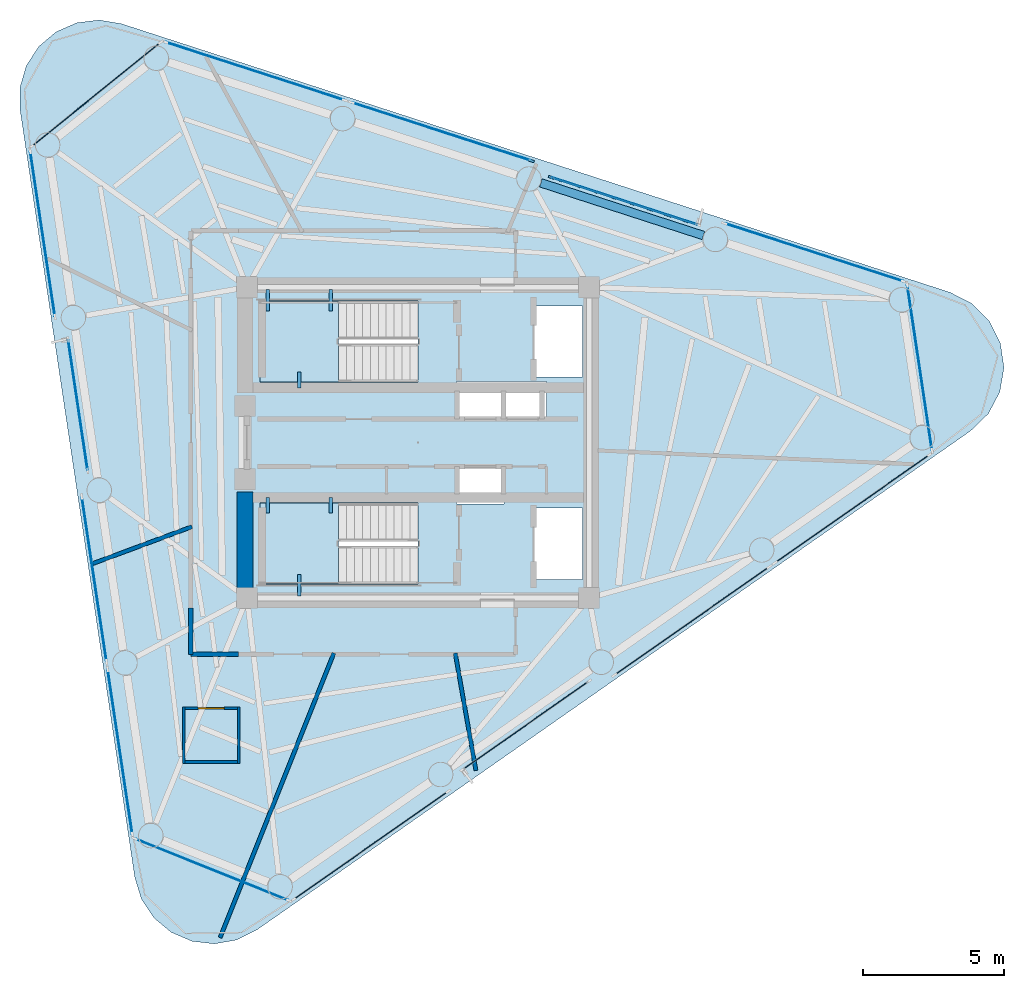
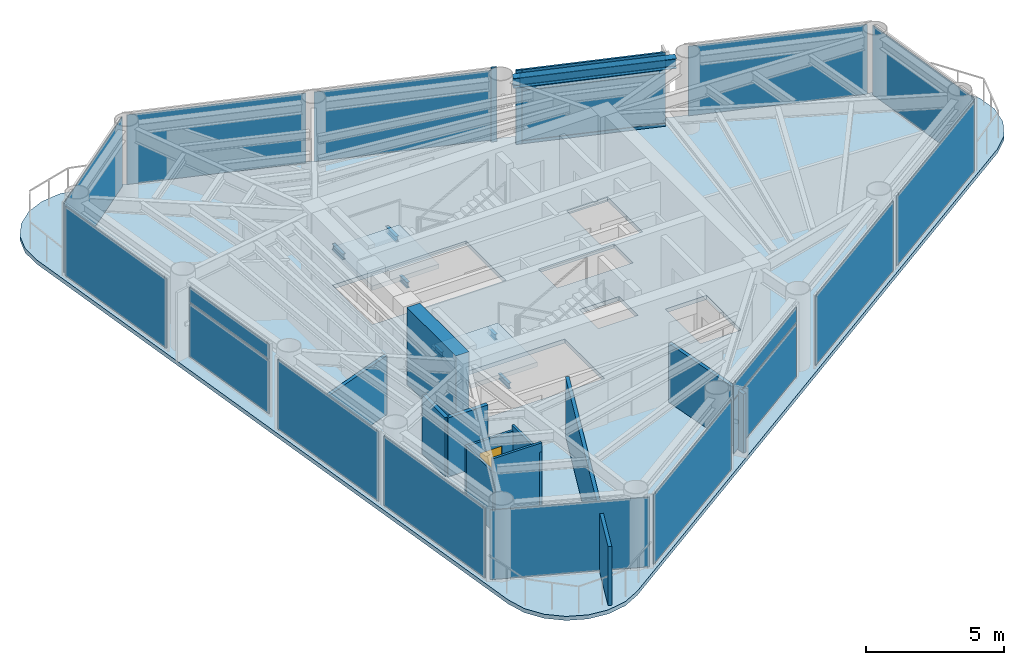
# One storey, part 4 of 9: 18 plates, 10 walls, 7 beams, 5 members, 3 slabs, 1 door, 1 opening, 17 elements without a shape of their own.
"""IFC4 building model written with IfcOpenShell, lengths in metres."""

from ifc_helpers import new_model, si_unit, direction, frame, frame_2d, origin, origin_2d, place, context, subcontext, project, spatial, polyline, rectangle, i_section, outline, extrude, source, transform, mapped, material, layer, layer_set, material_profile, profile_set, type_object, element, fill, aggregate, save


model = new_model("IFC4")

# Units and contexts
model_context = context("Model", 3, precision=1e-05, world=origin(), true_north=direction((0.0, 1.0)))
body_context = subcontext(model_context, "Body", "Model", "MODEL_VIEW")
ifc_project = project(units=[si_unit("LENGTHUNIT", "METRE"), si_unit("AREAUNIT", "SQUARE_METRE"), si_unit("VOLUMEUNIT", "CUBIC_METRE"), si_unit("PLANEANGLEUNIT", "RADIAN"), si_unit("MASSUNIT", "GRAM", prefix="KILO")], contexts=[model_context])

# Site, building, storey
site_placement = place(None, origin())
site = spatial("IfcSite", under=ifc_project, at=site_placement, CompositionType="ELEMENT")
building_placement = place(site_placement, origin())
building = spatial("IfcBuilding", under=site, at=building_placement, Name="Yunling Apex Tower", CompositionType="ELEMENT")
storey_placement = place(building_placement, frame((0.0, 0.0, 271.14990234375)))
storey = spatial("IfcBuildingStorey", under=building, at=storey_placement, Name="L66", CompositionType="ELEMENT", Elevation=271.14990234375)

# Beams
ifc_material_1 = material(Name="Steel Q355B", Category="steel")
ifc_material_profile_1 = material_profile(ifc_material_1, i_section(OverallWidth=0.125, OverallDepth=0.25, WebThickness=0.006103515625, FlangeThickness=0.009033203125, FilletRadius=0.011962890625, at=origin_2d()))
ifc_profile_set_1 = profile_set([ifc_material_profile_1], Name="Steel Q355B")
beam_type_1 = type_object("IfcBeamType", Name="BL-LNT-1", PredefinedType="LINTEL", material=ifc_profile_set_1)
shared_shape_1 = source(origin(), body_context, "Body", "SweptSolid", [
    extrude(i_section(OverallWidth=0.125, OverallDepth=0.25, WebThickness=0.006103515625, FlangeThickness=0.009033203125, FilletRadius=0.011962890625, at=origin_2d()), origin(), (0.0, 0.0, 1.0), 0.760009765625),
])
for number, where, z_axis, x_axis, name in (
    (1, (-5.320068359375, 5.419921875, 1.380126953125), (0.0, -1.0, 0.0), (1.0, 0.0, 0.0), "L66 ST-1 Landing Bearing Corbel 1-1"),
    (2, (-3.090087890625, 5.419921875, 1.380126953125), (0.0, -1.0, 0.0), (1.0, 0.0, 0.0), "L66 ST-1 Landing Bearing Corbel 1-2"),
    (3, (-4.205078125, -5.419921875, 1.380126953125), (0.0, 1.0, 0.0), (-1.0, 0.0, 0.0), "L66 ST-2 Landing Bearing Corbel 1-3"),
):
    element("IfcBeam", number, at=place(storey_placement, frame(where, z_axis=z_axis, x_axis=x_axis)), inside=storey, type_object=beam_type_1, Name=name, PredefinedType="LINTEL", context=body_context, shape_type="MappedRepresentation", body=[
        mapped(shared_shape_1, transform((0.0, 0.0, 0.0), scale=1.0)),
    ])
shared_shape_2 = source(origin(), body_context, "Body", "SweptSolid", [
    extrude(i_section(OverallWidth=0.125, OverallDepth=0.25, WebThickness=0.006103515625, FlangeThickness=0.009033203125, FilletRadius=0.011962890625, at=origin_2d()), origin(), (0.0, 0.0, 1.0), 0.550048828125),
])
for number, where, z_axis, x_axis, name in (
    (4, (-4.205078125, 1.93994140625, 1.380126953125), (0.0, 1.0, 0.0), (-1.0, 0.0, 0.0), "L66 ST-1 Landing Bearing Corbel 1-3"),
    (5, (-5.320068359375, -1.93994140625, 1.380126953125), (0.0, -1.0, 0.0), (1.0, 0.0, 0.0), "L66 ST-2 Landing Bearing Corbel 1-1"),
    (6, (-3.090087890625, -1.93994140625, 1.380126953125), (0.0, -1.0, 0.0), (1.0, 0.0, 0.0), "L66 ST-2 Landing Bearing Corbel 1-2"),
):
    element("IfcBeam", number, at=place(storey_placement, frame(where, z_axis=z_axis, x_axis=x_axis)), inside=storey, type_object=beam_type_1, Name=name, PredefinedType="LINTEL", context=body_context, shape_type="MappedRepresentation", body=[
        mapped(shared_shape_2, transform((0.0, 0.0, 0.0), scale=1.0)),
    ])
ifc_material_profile_2 = material_profile(ifc_material_1, i_section(OverallWidth=0.300048828125, OverallDepth=0.43994140625, WebThickness=0.010986328125, FlangeThickness=0.01806640625, FilletRadius=0.02197265625, at=origin_2d()))
ifc_profile_set_2 = profile_set([ifc_material_profile_2], Name="Steel Q355B")
beam_type_2 = type_object("IfcBeamType", Name="BP-SPN-3", PredefinedType="SPANDREL", material=ifc_profile_set_2)
shared_shape_3 = source(origin(), body_context, "Body", "SweptSolid", [
    extrude(i_section(OverallWidth=0.300048828125, OverallDepth=0.43994140625, WebThickness=0.010986328125, FlangeThickness=0.01806640625, FilletRadius=0.02197265625, at=origin_2d()), origin(), (0.0, 0.0, 1.0), 6.04345703125),
])
beam_placement = place(storey_placement, frame((10.09375, 7.326904296875, 3.0), z_axis=(-0.951272468705, 0.308351569289, 0.0), x_axis=(-0.308351569289, -0.951272468705, 0.0)))
element("IfcBeam", 7, at=beam_placement, inside=storey, type_object=beam_type_2, Name="L66 Perimeter Spandrel Beam 7", PredefinedType="SPANDREL", context=body_context, shape_type="MappedRepresentation", body=[
    mapped(shared_shape_3, transform((0.0, 0.0, 0.0), scale=1.0)),
])

# Curtain wall, member
ifc_material_2 = material(Name="Bronze anodised aluminium", Category="aluminium")
ifc_layer_1 = layer(ifc_material_2, 0.219970703125)
ifc_layer_set_1 = layer_set([ifc_layer_1], Name="Bronze anodised aluminium")
curtain_wall_type = type_object("IfcCurtainWallType", Name="CW-SYS-4", PredefinedType="NOTDEFINED", material=ifc_layer_set_1)
curtain_wall_1_placement = place(storey_placement, origin())
curtain_wall_1 = element("IfcCurtainWall", 8, at=curtain_wall_1_placement, inside=storey, type_object=curtain_wall_type, Name="CW-L66-F2-B2", PredefinedType="NOTDEFINED")
ifc_material_profile_3 = material_profile(ifc_material_2, rectangle(XDim=0.080078125, YDim=0.219970703125, at=origin_2d()))
ifc_profile_set_3 = profile_set([ifc_material_profile_3], Name="Bronze anodised aluminium")
member_type_1 = type_object("IfcMemberType", Name="CW-MUL-4", PredefinedType="MULLION", material=ifc_profile_set_3)
shared_shape_4 = source(origin(), body_context, "Body", "SweptSolid", [
    extrude(rectangle(XDim=0.080078125, YDim=0.219970703125, at=origin_2d()), origin(), (0.0, 0.0, 1.0), 3.31982421875),
])
member_1_placement = place(storey_placement, frame((4.71875, 9.384521484375, -0.0498046875), z_axis=(0.0, 0.0, 1.0), x_axis=(-0.30836941685, -0.951266683297, 0.0)))
member_1 = element("IfcMember", 9, at=member_1_placement, type_object=member_type_1, Name="CW-SYS-4 mullion 2", PredefinedType="MULLION", context=body_context, shape_type="MappedRepresentation", body=[
    mapped(shared_shape_4, transform((0.0, 0.0, 0.0), scale=1.0)),
])

curtain_wall_2_placement = place(storey_placement, origin())
curtain_wall_2 = element("IfcCurtainWall", 10, at=curtain_wall_2_placement, inside=storey, type_object=curtain_wall_type, Name="CW-L66-F2-B3", PredefinedType="NOTDEFINED")
member_2_placement = place(storey_placement, frame((4.00537109375, 9.97314453125, -0.0498046875), z_axis=(0.0, 0.0, 1.0), x_axis=(-0.308371076658, -0.95126614524, 0.0)))
member_2 = element("IfcMember", 11, at=member_2_placement, type_object=member_type_1, Name="CW-SYS-4 mullion 1", PredefinedType="MULLION", context=body_context, shape_type="MappedRepresentation", body=[
    mapped(shared_shape_4, transform((0.0, 0.0, 0.0), scale=1.0)),
])

# Member
ifc_material_profile_4 = material_profile(ifc_material_2, rectangle(XDim=0.080078125, YDim=0.169921875, at=origin_2d()))
ifc_profile_set_4 = profile_set([ifc_material_profile_4], Name="Bronze anodised aluminium")
member_type_2 = type_object("IfcMemberType", Name="CW-TRN-4", PredefinedType="USERDEFINED", material=ifc_profile_set_4)
shared_shape_5 = source(origin(), body_context, "Body", "SweptSolid", [
    extrude(rectangle(XDim=0.080078125, YDim=0.169921875, at=origin_2d()), origin(), (0.0, 0.0, 1.0), 5.3798828125),
])
member_3_placement = place(storey_placement, frame((9.87060546875, 7.71435546875, 0.0400390625), z_axis=(-0.951269238612, 0.308361534032, 0.0), x_axis=(-0.308361534032, -0.951269238612, 0.0)))
member_3 = element("IfcMember", 12, at=member_3_placement, type_object=member_type_2, Name="CW-SYS-4 transom 1.1", ObjectType="TRANSOM", PredefinedType="USERDEFINED", context=body_context, shape_type="MappedRepresentation", body=[
    mapped(shared_shape_5, transform((0.0, 0.0, 0.0), scale=1.0)),
])

member_4_placement = place(storey_placement, frame((9.87060546875, 7.71435546875, 2.447265625), z_axis=(-0.951269238612, 0.308361534032, 0.0), x_axis=(-0.308361534032, -0.951269238612, 0.0)))
member_4 = element("IfcMember", 13, at=member_4_placement, type_object=member_type_2, Name="CW-SYS-4 transom 1.2", ObjectType="TRANSOM", PredefinedType="USERDEFINED", context=body_context, shape_type="MappedRepresentation", body=[
    mapped(shared_shape_5, transform((0.0, 0.0, 0.0), scale=1.0)),
])

member_5_placement = place(storey_placement, frame((9.87060546875, 7.71435546875, 3.18017578125), z_axis=(-0.951269238612, 0.308361534032, 0.0), x_axis=(-0.308361534032, -0.951269238612, 0.0)))
member_5 = element("IfcMember", 14, at=member_5_placement, type_object=member_type_2, Name="CW-SYS-4 transom 1.3", ObjectType="TRANSOM", PredefinedType="USERDEFINED", context=body_context, shape_type="MappedRepresentation", body=[
    mapped(shared_shape_5, transform((0.0, 0.0, 0.0), scale=1.0)),
])

# Slab
ifc_material_3 = material(Name="Concrete C40", Category="concrete")
ifc_layer_2 = layer(ifc_material_3, 0.155029296875)
ifc_layer_set_2 = layer_set([ifc_layer_2], Name="Concrete C40")
slab_type_1 = type_object("IfcSlabType", Name="SL-FLR-3", PredefinedType="FLOOR", material=ifc_layer_set_2)
slab_1_placement = place(storey_placement, frame((0.0, 0.0, -0.179931640625)))
element("IfcSlab", 15, at=slab_1_placement, inside=storey, type_object=slab_type_1, Name="L66 Composite Tower Floor Slab", PredefinedType="FLOOR", context=body_context, shape_type="SweptSolid", body=[
    extrude(outline(polyline([(-10.026123046875, -15.378173828125), (-9.794189453125, -16.145263671875), (-9.352294921875, -16.81396484375), (-8.737548828125, -17.328125), (-8.001220703125, -17.64501953125), (-7.205078125, -17.7373046875), (-6.415771484375, -17.59814453125), (-5.69921875, -17.23876953125), (19.549072265625, 0.414306640625), (20.177490234375, 1.021728515625), (20.585205078125, 1.794921875), (20.731689453125, 2.656494140625), (20.6025390625, 3.52099609375), (20.21044921875, 4.302001953125), (19.594482421875, 4.922119140625), (18.81591796875, 5.3193359375), (-10.490478515625, 14.819091796875), (-11.280517578125, 14.95361328125), (-12.076171875, 14.855712890625), (-12.810302734375, 14.534423828125), (-13.422119140625, 14.016357421875), (-13.859619140625, 13.344970703125), (-14.086669921875, 12.576416015625), (-14.083984375, 11.77490234375), (-10.026123046875, -15.378173828125)]), holes=[polyline([(4.090087890625, 4.840087890625), (5.81005859375, 4.840087890625), (5.81005859375, 2.320068359375), (4.090087890625, 2.320068359375), (4.090087890625, 4.840087890625)]), polyline([(4.090087890625, -4.840087890625), (4.090087890625, -2.320068359375), (5.81005859375, -2.320068359375), (5.81005859375, -4.840087890625), (4.090087890625, -4.840087890625)]), polyline([(4.534912109375, 0.794921875), (1.364990234375, 0.794921875), (1.364990234375, 2.1650390625), (4.534912109375, 2.1650390625), (4.534912109375, 0.794921875)]), polyline([(1.364990234375, -0.794921875), (3.034912109375, -0.794921875), (3.034912109375, -2.1650390625), (1.364990234375, -2.1650390625), (1.364990234375, -0.794921875)]), polyline([(-0.010009765625, -5.010009765625), (-5.60009765625, -5.010009765625), (-5.60009765625, -2.139892578125), (-0.010009765625, -2.139892578125), (-0.010009765625, -5.010009765625)]), polyline([(-0.010009765625, 2.139892578125), (-5.60009765625, 2.139892578125), (-5.60009765625, 5.010009765625), (-0.010009765625, 5.010009765625), (-0.010009765625, 2.139892578125)])]), origin(), (0.0, 0.0, 1.0), 0.179931640625),
])

# Stair, slab
stair_type = type_object("IfcStairType", Name="ST-TWR-3", PredefinedType="HALF_TURN_STAIR", material=ifc_material_3)
stair_1_placement = place(storey_placement, origin())
stair_1 = element("IfcStair", 16, at=stair_1_placement, inside=storey, type_object=stair_type, Name="L66 North Core Smokeproof Exit Stair ST-1", PredefinedType="HALF_TURN_STAIR")
ifc_layer_3 = layer(ifc_material_3, 0.195068359375)
ifc_layer_set_3 = layer_set([ifc_layer_3], Name="Concrete C40")
slab_type_2 = type_object("IfcSlabType", Name="SL-LND-1", PredefinedType="LANDING", material=ifc_layer_set_3)
slab_2_placement = place(storey_placement, frame((0.0, 0.0, 1.505126953125)))
slab_2 = element("IfcSlab", 17, at=slab_2_placement, type_object=slab_type_2, Name="ST-1 landing 1", PredefinedType="LANDING", context=body_context, shape_type="SweptSolid", body=[
    extrude(outline(polyline([(-2.81005859375, 5.010009765625), (-5.60009765625, 5.010009765625), (-5.60009765625, 2.139892578125), (-2.81005859375, 2.139892578125), (-2.81005859375, 5.010009765625)])), origin(), (0.0, 0.0, 1.0), 0.195068359375),
])
aggregate(stair_1, [slab_2])

stair_2_placement = place(storey_placement, origin())
stair_2 = element("IfcStair", 18, at=stair_2_placement, inside=storey, type_object=stair_type, Name="L66 South Core Smokeproof Exit Stair ST-2", PredefinedType="HALF_TURN_STAIR")
slab_3_placement = place(storey_placement, frame((0.0, 0.0, 1.505126953125)))
slab_3 = element("IfcSlab", 19, at=slab_3_placement, type_object=slab_type_2, Name="ST-2 landing 1", PredefinedType="LANDING", context=body_context, shape_type="SweptSolid", body=[
    extrude(outline(polyline([(-2.81005859375, -2.139892578125), (-5.60009765625, -2.139892578125), (-5.60009765625, -5.010009765625), (-2.81005859375, -5.010009765625), (-2.81005859375, -2.139892578125)])), origin(), (0.0, 0.0, 1.0), 0.195068359375),
])
aggregate(stair_2, [slab_3])

# Curtain wall, plate
curtain_wall_3_placement = place(storey_placement, origin())
curtain_wall_3 = element("IfcCurtainWall", 20, at=curtain_wall_3_placement, inside=storey, type_object=curtain_wall_type, Name="CW-L66-F1-B1", PredefinedType="NOTDEFINED")
ifc_material_4 = material(Name="Bronze tinted low-E glass", Category="glass")
ifc_layer_4 = layer(ifc_material_4, 0.030029296875)
ifc_layer_set_4 = layer_set([ifc_layer_4], Name="Bronze tinted low-E glass")
plate_type = type_object("IfcPlateType", Name="CW-PNL-4", PredefinedType="CURTAIN_PANEL", material=ifc_layer_set_4)
shared_shape_6 = source(origin(), body_context, "Body", "SweptSolid", [
    extrude(rectangle(XDim=6.627685546875, YDim=0.030029296875, at=origin_2d()), origin(), (0.0, 0.0, 1.0), 3.075927734375),
])
plate_1_placement = place(storey_placement, frame((-1.6767578125, -14.25537109375, 0.072265625), z_axis=(0.0, 0.0, 1.0), x_axis=(0.819555084976, 0.573000403744, 0.0)))
plate_1 = element("IfcPlate", 21, at=plate_1_placement, type_object=plate_type, Name="CW-SYS-4 panel 1.1", PredefinedType="CURTAIN_PANEL", context=body_context, shape_type="MappedRepresentation", body=[
    mapped(shared_shape_6, transform((0.0, 0.0, 0.0), scale=1.0)),
])
aggregate(curtain_wall_3, [plate_1])

curtain_wall_4_placement = place(storey_placement, origin())
curtain_wall_4 = element("IfcCurtainWall", 22, at=curtain_wall_4_placement, inside=storey, type_object=curtain_wall_type, Name="CW-L66-F1-B3", PredefinedType="NOTDEFINED")
plate_2_placement = place(storey_placement, frame((9.68505859375, -6.3115234375, 0.072265625), z_axis=(0.0, 0.0, 1.0), x_axis=(0.81954815017, 0.573010322379, 0.0)))
plate_2 = element("IfcPlate", 23, at=plate_2_placement, type_object=plate_type, Name="CW-SYS-4 panel 1.1", PredefinedType="CURTAIN_PANEL", context=body_context, shape_type="MappedRepresentation", body=[
    mapped(shared_shape_6, transform((0.0, 0.0, 0.0), scale=1.0)),
])
aggregate(curtain_wall_4, [plate_2])

curtain_wall_5_placement = place(storey_placement, origin())
curtain_wall_5 = element("IfcCurtainWall", 24, at=curtain_wall_5_placement, inside=storey, type_object=curtain_wall_type, Name="CW-L66-F1-B4", PredefinedType="NOTDEFINED")
plate_3_placement = place(storey_placement, frame((15.365966796875, -2.339599609375, 0.072265625), z_axis=(0.0, 0.0, 1.0), x_axis=(0.819555084976, 0.573000403744, 0.0)))
plate_3 = element("IfcPlate", 25, at=plate_3_placement, type_object=plate_type, Name="CW-SYS-4 panel 1.1", PredefinedType="CURTAIN_PANEL", context=body_context, shape_type="MappedRepresentation", body=[
    mapped(shared_shape_6, transform((0.0, 0.0, 0.0), scale=1.0)),
])
aggregate(curtain_wall_5, [plate_3])

curtain_wall_6_placement = place(storey_placement, origin())
curtain_wall_6 = element("IfcCurtainWall", 26, at=curtain_wall_6_placement, inside=storey, type_object=curtain_wall_type, Name="CW-L66-F2-B1", PredefinedType="NOTDEFINED")
plate_4_placement = place(storey_placement, frame((14.010498046875, 6.72998046875, 0.072265625), z_axis=(0.0, 0.0, 1.0), x_axis=(-0.951271881173, 0.308353381834, 0.0)))
plate_4 = element("IfcPlate", 27, at=plate_4_placement, type_object=plate_type, Name="CW-SYS-4 panel 1.1", PredefinedType="CURTAIN_PANEL", context=body_context, shape_type="MappedRepresentation", body=[
    mapped(shared_shape_6, transform((0.0, 0.0, 0.0), scale=1.0)),
])
aggregate(curtain_wall_6, [plate_4])

# Plate
plate_5_placement = place(storey_placement, frame((0.82275390625, 11.0048828125, 0.072265625), z_axis=(0.0, 0.0, 1.0), x_axis=(-0.95126614524, 0.308371076658, 0.0)))
plate_5 = element("IfcPlate", 28, at=plate_5_placement, type_object=plate_type, Name="CW-SYS-4 panel 1.1", PredefinedType="CURTAIN_PANEL", context=body_context, shape_type="MappedRepresentation", body=[
    mapped(shared_shape_6, transform((0.0, 0.0, 0.0), scale=1.0)),
])

aggregate(curtain_wall_2, [member_2, plate_5])

# Curtain wall, plate
curtain_wall_7_placement = place(storey_placement, origin())
curtain_wall_7 = element("IfcCurtainWall", 29, at=curtain_wall_7_placement, inside=storey, type_object=curtain_wall_type, Name="CW-L66-F2-B4", PredefinedType="NOTDEFINED")
plate_6_placement = place(storey_placement, frame((-5.771240234375, 13.142333984375, 0.072265625), z_axis=(0.0, 0.0, 1.0), x_axis=(-0.951271881173, 0.308353381834, 0.0)))
plate_6 = element("IfcPlate", 30, at=plate_6_placement, type_object=plate_type, Name="CW-SYS-4 panel 1.1", PredefinedType="CURTAIN_PANEL", context=body_context, shape_type="MappedRepresentation", body=[
    mapped(shared_shape_6, transform((0.0, 0.0, 0.0), scale=1.0)),
])
aggregate(curtain_wall_7, [plate_6])

curtain_wall_8_placement = place(storey_placement, origin())
curtain_wall_8 = element("IfcCurtainWall", 31, at=curtain_wall_8_placement, inside=storey, type_object=curtain_wall_type, Name="CW-L66-F1-B2", PredefinedType="NOTDEFINED")
shared_shape_7 = source(origin(), body_context, "Body", "SweptSolid", [
    extrude(rectangle(XDim=5.3876953125, YDim=0.030029296875, at=origin_2d()), origin(), (0.0, 0.0, 1.0), 2.34326171875),
])
plate_7_placement = place(storey_placement, frame((3.809326171875, -10.0048828125, 0.072021484375), z_axis=(0.0, 0.0, 1.0), x_axis=(0.819556211708, 0.57299879219, 0.0)))
plate_7 = element("IfcPlate", 32, at=plate_7_placement, type_object=plate_type, Name="CW-SYS-4 panel 1.1", PredefinedType="CURTAIN_PANEL", context=body_context, shape_type="MappedRepresentation", body=[
    mapped(shared_shape_7, transform((0.0, 0.0, 0.0), scale=1.0)),
])

# Plate
plate_8_placement = place(storey_placement, frame((7.311767578125, 8.5439453125, 0.072021484375), z_axis=(0.0, 0.0, 1.0), x_axis=(-0.951266683297, 0.30836941685, 0.0)))
plate_8 = element("IfcPlate", 33, at=plate_8_placement, type_object=plate_type, Name="CW-SYS-4 panel 1.1", PredefinedType="CURTAIN_PANEL", context=body_context, shape_type="MappedRepresentation", body=[
    mapped(shared_shape_7, transform((0.0, 0.0, 0.0), scale=1.0)),
])

shared_shape_8 = source(origin(), body_context, "Body", "SweptSolid", [
    extrude(rectangle(XDim=5.3876953125, YDim=0.030029296875, at=origin_2d()), origin(), (0.0, 0.0, 1.0), 0.668701171875),
])
plate_9_placement = place(storey_placement, frame((3.809326171875, -10.0048828125, 2.4794921875), z_axis=(0.0, 0.0, 1.0), x_axis=(0.819556211708, 0.57299879219, 0.0)))
plate_9 = element("IfcPlate", 34, at=plate_9_placement, type_object=plate_type, Name="CW-SYS-4 panel 1.2", PredefinedType="CURTAIN_PANEL", context=body_context, shape_type="MappedRepresentation", body=[
    mapped(shared_shape_8, transform((0.0, 0.0, 0.0), scale=1.0)),
])

aggregate(curtain_wall_8, [plate_7, plate_9])

plate_10_placement = place(storey_placement, frame((7.311767578125, 8.5439453125, 2.4794921875), z_axis=(0.0, 0.0, 1.0), x_axis=(-0.951266683297, 0.30836941685, 0.0)))
plate_10 = element("IfcPlate", 35, at=plate_10_placement, type_object=plate_type, Name="CW-SYS-4 panel 1.2", PredefinedType="CURTAIN_PANEL", context=body_context, shape_type="MappedRepresentation", body=[
    mapped(shared_shape_8, transform((0.0, 0.0, 0.0), scale=1.0)),
])

aggregate(curtain_wall_1, [member_1, member_3, member_4, member_5, plate_8, plate_10])

# Curtain wall, plate
curtain_wall_9_placement = place(storey_placement, origin())
curtain_wall_9 = element("IfcCurtainWall", 36, at=curtain_wall_9_placement, inside=storey, type_object=curtain_wall_type, Name="CW-L66-CRN1", PredefinedType="NOTDEFINED")
shared_shape_9 = source(origin(), body_context, "Body", "SweptSolid", [
    extrude(rectangle(XDim=5.90185546875, YDim=0.030029296875, at=origin_2d()), origin(), (0.0, 0.0, 1.0), 3.075927734375),
])
plate_11_placement = place(storey_placement, frame((17.748291015625, 2.65234375, 0.072265625), z_axis=(0.0, 0.0, 1.0), x_axis=(-0.147802573571, 0.989016885218, 0.0)))
plate_11 = element("IfcPlate", 37, at=plate_11_placement, type_object=plate_type, Name="CW-SYS-4 panel 1.1", PredefinedType="CURTAIN_PANEL", context=body_context, shape_type="MappedRepresentation", body=[
    mapped(shared_shape_9, transform((0.0, 0.0, 0.0), scale=1.0)),
])
aggregate(curtain_wall_9, [plate_11])

curtain_wall_10_placement = place(storey_placement, origin())
curtain_wall_10 = element("IfcCurtainWall", 38, at=curtain_wall_10_placement, inside=storey, type_object=curtain_wall_type, Name="CW-L66-CRN2", PredefinedType="NOTDEFINED")
shared_shape_10 = source(origin(), body_context, "Body", "SweptSolid", [
    extrude(rectangle(XDim=5.829345703125, YDim=0.030029296875, at=origin_2d()), origin(), (0.0, 0.0, 1.0), 3.075927734375),
])
plate_12_placement = place(storey_placement, frame((-11.398681640625, 12.31640625, 0.072265625), z_axis=(0.0, 0.0, 1.0), x_axis=(-0.778222477019, -0.627988675266, 0.0)))
plate_12 = element("IfcPlate", 39, at=plate_12_placement, type_object=plate_type, Name="CW-SYS-4 panel 1.1", PredefinedType="CURTAIN_PANEL", context=body_context, shape_type="MappedRepresentation", body=[
    mapped(shared_shape_10, transform((0.0, 0.0, 0.0), scale=1.0)),
])
aggregate(curtain_wall_10, [plate_12])

curtain_wall_11_placement = place(storey_placement, origin())
curtain_wall_11 = element("IfcCurtainWall", 40, at=curtain_wall_11_placement, inside=storey, type_object=curtain_wall_type, Name="CW-L66-CRN3", PredefinedType="NOTDEFINED")
plate_13_placement = place(storey_placement, frame((-7.2998046875, -15.11083984375, 0.072265625), z_axis=(0.0, 0.0, 1.0), x_axis=(0.927827569859, -0.373009384078, 0.0)))
plate_13 = element("IfcPlate", 41, at=plate_13_placement, type_object=plate_type, Name="CW-SYS-4 panel 1.1", PredefinedType="CURTAIN_PANEL", context=body_context, shape_type="MappedRepresentation", body=[
    mapped(shared_shape_10, transform((0.0, 0.0, 0.0), scale=1.0)),
])
aggregate(curtain_wall_11, [plate_13])

curtain_wall_12_placement = place(storey_placement, origin())
curtain_wall_12 = element("IfcCurtainWall", 42, at=curtain_wall_12_placement, inside=storey, type_object=curtain_wall_type, Name="CW-L66-F3-B1", PredefinedType="NOTDEFINED")
shared_shape_11 = source(origin(), body_context, "Body", "SweptSolid", [
    extrude(rectangle(XDim=5.873291015625, YDim=0.030029296875, at=origin_2d()), origin(), (0.0, 0.0, 1.0), 3.075927734375),
])
plate_14_placement = place(storey_placement, frame((-13.2861328125, 7.38330078125, 0.072265625), z_axis=(0.0, 0.0, 1.0), x_axis=(0.147807330522, -0.989016174309, 0.0)))
plate_14 = element("IfcPlate", 43, at=plate_14_placement, type_object=plate_type, Name="CW-SYS-4 panel 1.1", PredefinedType="CURTAIN_PANEL", context=body_context, shape_type="MappedRepresentation", body=[
    mapped(shared_shape_11, transform((0.0, 0.0, 0.0), scale=1.0)),
])
aggregate(curtain_wall_12, [plate_14])

curtain_wall_13_placement = place(storey_placement, origin())
curtain_wall_13 = element("IfcCurtainWall", 44, at=curtain_wall_13_placement, inside=storey, type_object=curtain_wall_type, Name="CW-L66-F3-B3", PredefinedType="NOTDEFINED")
plate_15_placement = place(storey_placement, frame((-11.460205078125, -4.835693359375, 0.072265625), z_axis=(0.0, 0.0, 1.0), x_axis=(0.147807330522, -0.989016174309, 0.0)))
plate_15 = element("IfcPlate", 45, at=plate_15_placement, type_object=plate_type, Name="CW-SYS-4 panel 1.1", PredefinedType="CURTAIN_PANEL", context=body_context, shape_type="MappedRepresentation", body=[
    mapped(shared_shape_11, transform((0.0, 0.0, 0.0), scale=1.0)),
])
aggregate(curtain_wall_13, [plate_15])

curtain_wall_14_placement = place(storey_placement, origin())
curtain_wall_14 = element("IfcCurtainWall", 46, at=curtain_wall_14_placement, inside=storey, type_object=curtain_wall_type, Name="CW-L66-F3-B4", PredefinedType="NOTDEFINED")
plate_16_placement = place(storey_placement, frame((-10.547119140625, -10.945068359375, 0.072265625), z_axis=(0.0, 0.0, 1.0), x_axis=(0.147791074763, -0.989018603576, 0.0)))
plate_16 = element("IfcPlate", 47, at=plate_16_placement, type_object=plate_type, Name="CW-SYS-4 panel 1.1", PredefinedType="CURTAIN_PANEL", context=body_context, shape_type="MappedRepresentation", body=[
    mapped(shared_shape_11, transform((0.0, 0.0, 0.0), scale=1.0)),
])
aggregate(curtain_wall_14, [plate_16])

# Curtain wall, plates
curtain_wall_15_placement = place(storey_placement, origin())
curtain_wall_15 = element("IfcCurtainWall", 48, at=curtain_wall_15_placement, inside=storey, type_object=curtain_wall_type, Name="CW-L66-F3-B2", PredefinedType="NOTDEFINED")
shared_shape_12 = source(origin(), body_context, "Body", "SweptSolid", [
    extrude(rectangle(XDim=4.63330078125, YDim=0.030029296875, at=origin_2d()), origin(), (0.0, 0.0, 1.0), 2.34326171875),
])
plate_17_placement = place(storey_placement, frame((-12.036865234375, 1.323974609375, 0.072021484375), z_axis=(0.0, 0.0, 1.0), x_axis=(0.147804068926, -0.989016661745, 0.0)))
plate_17 = element("IfcPlate", 49, at=plate_17_placement, type_object=plate_type, Name="CW-SYS-4 panel 1.1", PredefinedType="CURTAIN_PANEL", context=body_context, shape_type="MappedRepresentation", body=[
    mapped(shared_shape_12, transform((0.0, 0.0, 0.0), scale=1.0)),
])
shared_shape_13 = source(origin(), body_context, "Body", "SweptSolid", [
    extrude(rectangle(XDim=4.63330078125, YDim=0.030029296875, at=origin_2d()), origin(), (0.0, 0.0, 1.0), 0.668701171875),
])
plate_18_placement = place(storey_placement, frame((-12.036865234375, 1.323974609375, 2.4794921875), z_axis=(0.0, 0.0, 1.0), x_axis=(0.147804068926, -0.989016661745, 0.0)))
plate_18 = element("IfcPlate", 50, at=plate_18_placement, type_object=plate_type, Name="CW-SYS-4 panel 1.2", PredefinedType="CURTAIN_PANEL", context=body_context, shape_type="MappedRepresentation", body=[
    mapped(shared_shape_13, transform((0.0, 0.0, 0.0), scale=1.0)),
])
aggregate(curtain_wall_15, [plate_17, plate_18])

# Walls
ifc_layer_5 = layer(ifc_material_3, 0.550048828125)
ifc_layer_set_5 = layer_set([ifc_layer_5], Name="Concrete C40")
wall_type_1 = type_object("IfcWallType", Name="WL-COR-3", PredefinedType="SHEAR", material=ifc_layer_set_5)
wall_1_placement = place(storey_placement, frame((-6.125, -5.300048828125, 0.0), z_axis=(0.0, 0.0, 1.0), x_axis=(0.0, 1.0, 0.0)))
element("IfcWall", 51, at=wall_1_placement, inside=storey, type_object=wall_type_1, Name="L66 West-South Core Shear Wall", PredefinedType="SHEAR", context=body_context, shape_type="SweptSolid", body=[
    extrude(rectangle(XDim=3.550048828125, YDim=0.550048828125, at=frame_2d((1.77490234375, 0.0))), origin(), (0.0, 0.0, 1.0), 3.400146484375),
])
ifc_material_5 = material(Name="Gypsum board acoustic partition")
ifc_layer_6 = layer(ifc_material_5, 0.159912109375)
ifc_layer_set_6 = layer_set([ifc_layer_6], Name="Gypsum board acoustic partition")
wall_type_2 = type_object("IfcWallType", Name="WL-PRT-1", PredefinedType="PARTITIONING", material=ifc_layer_set_6)
wall_2_placement = place(storey_placement, frame((-6.360107421875, -7.489990234375, 0.0), z_axis=(0.0, 0.0, 1.0), x_axis=(-1.0, 0.0, 0.0)))
element("IfcWall", 52, at=wall_2_placement, inside=storey, type_object=wall_type_2, Name="WL-CORR-L66-07", PredefinedType="PARTITIONING", context=body_context, shape_type="SweptSolid", body=[
    extrude(rectangle(XDim=1.679931640625, YDim=0.159912109375, at=frame_2d((0.83984375, 0.0))), origin(), (0.0, 0.0, 1.0), 2.60498046875),
])
wall_3_placement = place(storey_placement, frame((-8.0400390625, -7.489990234375, 0.0), z_axis=(0.0, 0.0, 1.0), x_axis=(0.0, 1.0, 0.0)))
element("IfcWall", 53, at=wall_3_placement, inside=storey, type_object=wall_type_2, Name="WL-CORR-L66-08", PredefinedType="PARTITIONING", context=body_context, shape_type="SweptSolid", body=[
    extrude(rectangle(XDim=1.639892578125, YDim=0.159912109375, at=frame_2d((0.81982421875, 0.0))), origin(), (0.0, 0.0, 1.0), 2.60498046875),
])
ifc_layer_7 = layer(ifc_material_5, 0.139892578125)
ifc_layer_set_7 = layer_set([ifc_layer_7], Name="Gypsum board acoustic partition")
wall_type_3 = type_object("IfcWallType", Name="WL-PRT-2", PredefinedType="PARTITIONING", material=ifc_layer_set_7)
wall_4_placement = place(storey_placement, frame((-8.0, -2.97509765625, 0.0), z_axis=(0.0, 0.0, 1.0), x_axis=(-0.937281421119, -0.348573575627, 0.0)))
element("IfcWall", 54, at=wall_4_placement, inside=storey, type_object=wall_type_3, Name="WL-RAD-L66-05", PredefinedType="PARTITIONING", context=body_context, shape_type="SweptSolid", body=[
    extrude(rectangle(XDim=3.7373046875, YDim=0.139892578125, at=frame_2d((1.86865234375, 0.0))), origin(), (0.0, 0.0, 1.0), 2.60498046875),
])
wall_5_placement = place(storey_placement, frame((-2.979736328125, -7.449951171875, 0.0), z_axis=(0.0, 0.0, 1.0), x_axis=(-0.37136350778, -0.928487557854, 0.0)))
element("IfcWall", 55, at=wall_5_placement, inside=storey, type_object=wall_type_3, Name="WL-RAD-L66-06", PredefinedType="PARTITIONING", context=body_context, shape_type="SweptSolid", body=[
    extrude(rectangle(XDim=10.845458984375, YDim=0.139892578125, at=frame_2d((5.4228515625, 0.0))), origin(), (0.0, 0.0, 1.0), 2.60498046875),
])
wall_6_placement = place(storey_placement, frame((1.313720703125, -7.449951171875, 0.0), z_axis=(0.0, 0.0, 1.0), x_axis=(0.17364664795, -0.984808022741, 0.0)))
element("IfcWall", 56, at=wall_6_placement, inside=storey, type_object=wall_type_3, Name="WL-RAD-L66-07", PredefinedType="PARTITIONING", context=body_context, shape_type="SweptSolid", body=[
    extrude(rectangle(XDim=4.2177734375, YDim=0.139892578125, at=frame_2d((2.10888671875, 0.0))), origin(), (0.0, 0.0, 1.0), 2.60498046875),
])

# Wall, opening, door
ifc_layer_8 = layer(ifc_material_5, 0.10009765625)
ifc_layer_set_8 = layer_set([ifc_layer_8], Name="Gypsum board acoustic partition")
wall_type_4 = type_object("IfcWallType", Name="WL-PRT-4", PredefinedType="PARTITIONING", material=ifc_layer_set_8)
wall_7_placement = place(storey_placement, frame((-8.344970703125, -9.40087890625, 0.0), z_axis=(0.0, 0.0, 1.0), x_axis=(1.0, 0.0, 0.0)))
wall_7 = element("IfcWall", 57, at=wall_7_placement, inside=storey, type_object=wall_type_4, Name="WL-L66-RWC1N", PredefinedType="PARTITIONING", context=body_context, shape_type="SweptSolid", body=[
    extrude(rectangle(XDim=2.050048828125, YDim=0.10009765625, at=frame_2d((1.02490234375, 0.0))), origin(), (0.0, 0.0, 1.0), 2.60498046875),
])
opening_placement = place(wall_7_placement, frame((0.56494140625, 0.0, 0.0)))
opening = element("IfcOpeningElement", 58, at=opening_placement, cuts=wall_7, Name="Opening DR-WC-1", PredefinedType="OPENING", context=body_context, shape_type="SweptSolid", body=[
    extrude(rectangle(XDim=0.919921875, YDim=2.10009765625, at=frame_2d((0.4599609375, 1.050048828125))), frame((0.0, 0.06005859375, 0.0), z_axis=(0.0, -1.0, 0.0), x_axis=(1.0, 0.0, 0.0)), (0.0, 0.0, 1.0), 0.1201171875),
])
ifc_material_6 = material(Name="Timber moisture-resistant leaf", Category="wood")
door_type = type_object("IfcDoorType", Name="DR-WC-1", OperationType="NOTDEFINED", PredefinedType="DOOR", material=ifc_material_6)
door_placement = place(opening_placement, origin())
door = element("IfcDoor", 59, at=door_placement, inside=storey, type_object=door_type, Name="L66 Accessible WC Door", OperationType="SINGLE_SWING_LEFT", OverallHeight=2.10009765625, OverallWidth=0.919921875, PredefinedType="DOOR", context=body_context, shape_type="SweptSolid", body=[
    extrude(rectangle(XDim=0.919921875, YDim=2.10009765625, at=frame_2d((0.4599609375, 1.050048828125))), frame((0.0, 0.02490234375, 0.0), z_axis=(0.0, -1.0, 0.0), x_axis=(1.0, 0.0, 0.0)), (0.0, 0.0, 1.0), 0.050048828125),
])
fill(opening, door)

# Walls
wall_8_placement = place(storey_placement, frame((-6.294921875, -11.301025390625, 0.0), z_axis=(0.0, 0.0, 1.0), x_axis=(-1.0, 0.0, 0.0)))
element("IfcWall", 60, at=wall_8_placement, inside=storey, type_object=wall_type_4, Name="WL-L66-RWC1S", PredefinedType="PARTITIONING", context=body_context, shape_type="SweptSolid", body=[
    extrude(rectangle(XDim=2.050048828125, YDim=0.10009765625, at=frame_2d((1.02490234375, 0.0))), origin(), (0.0, 0.0, 1.0), 3.2001953125),
])
wall_9_placement = place(storey_placement, frame((-6.344970703125, -9.35107421875, 0.0), z_axis=(0.0, 0.0, 1.0), x_axis=(0.0, -1.0, 0.0)))
element("IfcWall", 61, at=wall_9_placement, inside=storey, type_object=wall_type_4, Name="WL-L66-RWC1E", PredefinedType="PARTITIONING", context=body_context, shape_type="SweptSolid", body=[
    extrude(rectangle(XDim=2.0, YDim=0.10009765625, at=frame_2d((1.0, 0.0))), origin(), (0.0, 0.0, 1.0), 2.80517578125),
])
wall_10_placement = place(storey_placement, frame((-8.294921875, -11.35107421875, 0.0), z_axis=(0.0, 0.0, 1.0), x_axis=(0.0, 1.0, 0.0)))
element("IfcWall", 62, at=wall_10_placement, inside=storey, type_object=wall_type_4, Name="WL-L66-RWC1W", PredefinedType="PARTITIONING", context=body_context, shape_type="SweptSolid", body=[
    extrude(rectangle(XDim=2.0, YDim=0.10009765625, at=frame_2d((1.0, 0.0))), origin(), (0.0, 0.0, 1.0), 2.60498046875),
])

save(model, "model.ifc")
